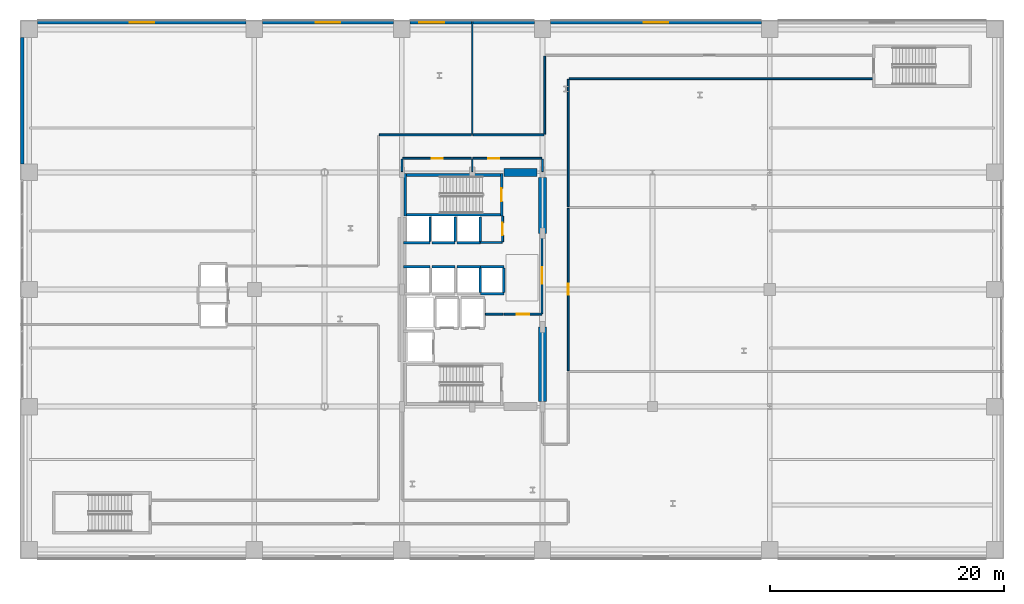
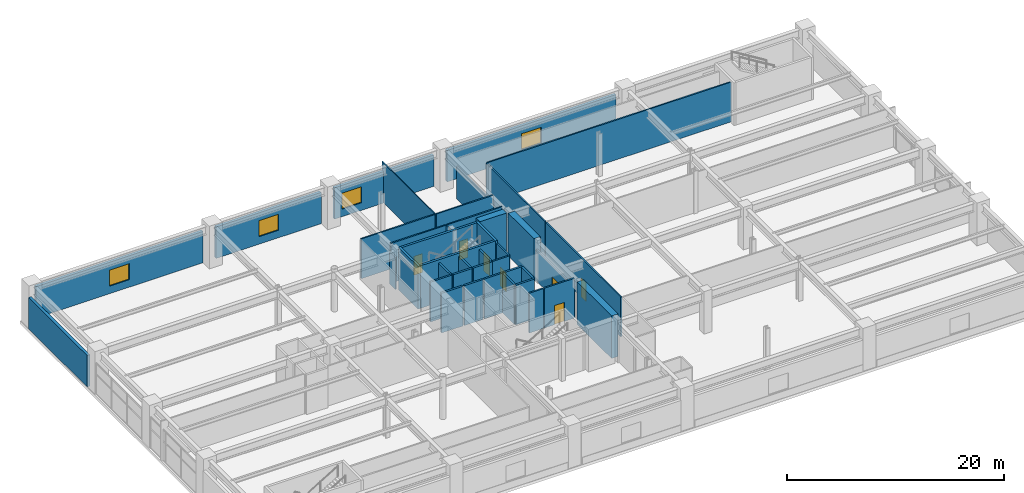
# One storey, part 21 of 28: 42 walls, 7 doors, 4 windows, 11 openings.
"""IFC4 building model written with IfcOpenShell, lengths in metres."""

from ifc_helpers import new_model, si_unit, direction, frame, frame_2d, origin, place, context, subcontext, project, spatial, rectangle, extrude, material, layer, layer_set, type_object, element, fill, save


model = new_model("IFC4")

# Units and contexts
model_context = context("Model", 3, precision=1e-05, world=origin(), true_north=direction((0.0, 1.0)))
body_context = subcontext(model_context, "Body", "Model", "MODEL_VIEW")
ifc_project = project(units=[si_unit("LENGTHUNIT", "METRE"), si_unit("AREAUNIT", "SQUARE_METRE"), si_unit("VOLUMEUNIT", "CUBIC_METRE"), si_unit("PLANEANGLEUNIT", "RADIAN"), si_unit("MASSUNIT", "GRAM", prefix="KILO")], contexts=[model_context])

# Site, building, storey
site_placement = place(None, origin())
site = spatial("IfcSite", under=ifc_project, at=site_placement, CompositionType="ELEMENT")
building_placement = place(site_placement, origin())
building = spatial("IfcBuilding", under=site, at=building_placement, Name="Soratama Intermodal Tower", CompositionType="ELEMENT")
storey_placement = place(building_placement, frame((0.0, 0.0, 11.39990234375)))
storey = spatial("IfcBuildingStorey", under=building, at=storey_placement, Name="L02", CompositionType="ELEMENT", Elevation=11.39990234375)

# Wall, opening, window
ifc_material_1 = material(Name="Concrete f'c 42 MPa", Category="concrete")
ifc_layer_1 = layer(ifc_material_1, 0.300048828125)
ifc_layer_set_1 = layer_set([ifc_layer_1], Name="Concrete f'c 42 MPa")
wall_type_1 = type_object("IfcWallType", Name="EW-STONE-300", PredefinedType="SOLIDWALL", material=ifc_layer_set_1)
wall_1_placement = place(storey_placement, frame((1.5, 47.800048828125, 0.0), z_axis=(0.0, 0.0, 1.0), x_axis=(1.0, 0.0, 0.0)))
wall_1 = element("IfcWall", 1, at=wall_1_placement, inside=storey, type_object=wall_type_1, Name="L02 N Limestone Wall B1", PredefinedType="SOLIDWALL", context=body_context, shape_type="SweptSolid", body=[
    extrude(rectangle(XDim=17.800048828125, YDim=0.300048828125, at=frame_2d((8.89990234375, 0.0))), origin(), (0.0, 0.0, 1.0), 3.5361328125),
])
opening_1_placement = place(wall_1_placement, frame((7.85009765625, 0.0, 0.85009765625)))
opening_1 = element("IfcOpeningElement", 2, at=opening_1_placement, cuts=wall_1, Name="Opening WN-0", PredefinedType="OPENING", context=body_context, shape_type="SweptSolid", body=[
    extrude(rectangle(XDim=2.10009765625, YDim=1.800048828125, at=frame_2d((1.050048828125, 0.89990234375))), frame((0.0, 0.159912109375, 0.0), z_axis=(0.0, -1.0, 0.0), x_axis=(1.0, 0.0, 0.0)), (0.0, 0.0, 1.0), 0.320068359375),
])
ifc_material_2 = material(Name="Double-glazed aluminium window", Category="aluminium")
window_type = type_object("IfcWindowType", Name="WN-POD-2100", PartitioningType="SINGLE_PANEL", PredefinedType="WINDOW", material=ifc_material_2)
window_1_placement = place(opening_1_placement, origin())
window_1 = element("IfcWindow", 3, at=window_1_placement, inside=storey, type_object=window_type, Name="L02 N Window B1", OverallHeight=1.800048828125, OverallWidth=2.10009765625, PartitioningType="SINGLE_PANEL", PredefinedType="WINDOW", context=body_context, shape_type="SweptSolid", body=[
    extrude(rectangle(XDim=2.10009765625, YDim=1.800048828125, at=frame_2d((1.050048828125, 0.89990234375))), frame((0.0, 0.030029296875, 0.0), z_axis=(0.0, -1.0, 0.0), x_axis=(1.0, 0.0, 0.0)), (0.0, 0.0, 1.0), 0.06005859375),
])
fill(opening_1, window_1)

wall_2_placement = place(storey_placement, frame((20.699951171875, 47.800048828125, 0.0), z_axis=(0.0, 0.0, 1.0), x_axis=(1.0, 0.0, 0.0)))
wall_2 = element("IfcWall", 4, at=wall_2_placement, inside=storey, type_object=wall_type_1, Name="L02 N Limestone Wall B2", PredefinedType="SOLIDWALL", context=body_context, shape_type="SweptSolid", body=[
    extrude(rectangle(XDim=11.199951171875, YDim=0.300048828125, at=frame_2d((5.60009765625, 0.0))), origin(), (0.0, 0.0, 1.0), 3.5361328125),
])
opening_2_placement = place(wall_2_placement, frame((4.550048828125, 0.0, 0.85009765625)))
opening_2 = element("IfcOpeningElement", 5, at=opening_2_placement, cuts=wall_2, Name="Opening WN-0", PredefinedType="OPENING", context=body_context, shape_type="SweptSolid", body=[
    extrude(rectangle(XDim=2.10009765625, YDim=1.800048828125, at=frame_2d((1.050048828125, 0.89990234375))), frame((0.0, 0.159912109375, 0.0), z_axis=(0.0, -1.0, 0.0), x_axis=(1.0, 0.0, 0.0)), (0.0, 0.0, 1.0), 0.320068359375),
])
window_2_placement = place(opening_2_placement, origin())
window_2 = element("IfcWindow", 6, at=window_2_placement, inside=storey, type_object=window_type, Name="L02 N Window B2", OverallHeight=1.800048828125, OverallWidth=2.10009765625, PartitioningType="SINGLE_PANEL", PredefinedType="WINDOW", context=body_context, shape_type="SweptSolid", body=[
    extrude(rectangle(XDim=2.10009765625, YDim=1.800048828125, at=frame_2d((1.050048828125, 0.89990234375))), frame((0.0, 0.030029296875, 0.0), z_axis=(0.0, -1.0, 0.0), x_axis=(1.0, 0.0, 0.0)), (0.0, 0.0, 1.0), 0.06005859375),
])
fill(opening_2, window_2)

wall_3_placement = place(storey_placement, frame((33.300048828125, 47.800048828125, 0.0), z_axis=(0.0, 0.0, 1.0), x_axis=(1.0, 0.0, 0.0)))
wall_3 = element("IfcWall", 7, at=wall_3_placement, inside=storey, type_object=wall_type_1, Name="L02 N Limestone Wall B3", PredefinedType="SOLIDWALL", context=body_context, shape_type="SweptSolid", body=[
    extrude(rectangle(XDim=10.599853515625, YDim=0.300048828125, at=frame_2d((5.2998046875, 0.0))), origin(), (0.0, 0.0, 1.0), 3.5361328125),
])
opening_3_placement = place(wall_3_placement, frame((0.800048828125, 0.0, 0.85009765625)))
opening_3 = element("IfcOpeningElement", 8, at=opening_3_placement, cuts=wall_3, Name="Opening WN-0", PredefinedType="OPENING", context=body_context, shape_type="SweptSolid", body=[
    extrude(rectangle(XDim=2.10009765625, YDim=1.800048828125, at=frame_2d((1.050048828125, 0.89990234375))), frame((0.0, 0.159912109375, 0.0), z_axis=(0.0, -1.0, 0.0), x_axis=(1.0, 0.0, 0.0)), (0.0, 0.0, 1.0), 0.320068359375),
])
window_3_placement = place(opening_3_placement, origin())
window_3 = element("IfcWindow", 9, at=window_3_placement, inside=storey, type_object=window_type, Name="L02 N Window B3", OverallHeight=1.800048828125, OverallWidth=2.10009765625, PartitioningType="SINGLE_PANEL", PredefinedType="WINDOW", context=body_context, shape_type="SweptSolid", body=[
    extrude(rectangle(XDim=2.10009765625, YDim=1.800048828125, at=frame_2d((1.050048828125, 0.89990234375))), frame((0.0, 0.030029296875, 0.0), z_axis=(0.0, -1.0, 0.0), x_axis=(1.0, 0.0, 0.0)), (0.0, 0.0, 1.0), 0.06005859375),
])
fill(opening_3, window_3)

wall_4_placement = place(storey_placement, frame((45.300048828125, 47.800048828125, 0.0), z_axis=(0.0, 0.0, 1.0), x_axis=(1.0, 0.0, 0.0)))
wall_4 = element("IfcWall", 10, at=wall_4_placement, inside=storey, type_object=wall_type_1, Name="L02 N Limestone Wall B4", PredefinedType="SOLIDWALL", context=body_context, shape_type="SweptSolid", body=[
    extrude(rectangle(XDim=18.0, YDim=0.300048828125, at=frame_2d((9.0, 0.0))), origin(), (0.0, 0.0, 1.0), 3.5361328125),
])
opening_4_placement = place(wall_4_placement, frame((7.949951171875, 0.0, 0.85009765625)))
opening_4 = element("IfcOpeningElement", 11, at=opening_4_placement, cuts=wall_4, Name="Opening WN-0", PredefinedType="OPENING", context=body_context, shape_type="SweptSolid", body=[
    extrude(rectangle(XDim=2.10009765625, YDim=1.800048828125, at=frame_2d((1.050048828125, 0.89990234375))), frame((0.0, 0.159912109375, 0.0), z_axis=(0.0, -1.0, 0.0), x_axis=(1.0, 0.0, 0.0)), (0.0, 0.0, 1.0), 0.320068359375),
])
window_4_placement = place(opening_4_placement, origin())
window_4 = element("IfcWindow", 12, at=window_4_placement, inside=storey, type_object=window_type, Name="L02 N Window B4", OverallHeight=1.800048828125, OverallWidth=2.10009765625, PartitioningType="SINGLE_PANEL", PredefinedType="WINDOW", context=body_context, shape_type="SweptSolid", body=[
    extrude(rectangle(XDim=2.10009765625, YDim=1.800048828125, at=frame_2d((1.050048828125, 0.89990234375))), frame((0.0, 0.030029296875, 0.0), z_axis=(0.0, -1.0, 0.0), x_axis=(1.0, 0.0, 0.0)), (0.0, 0.0, 1.0), 0.06005859375),
])
fill(opening_4, window_4)

# Walls
wall_5_placement = place(storey_placement, frame((0.199951171875, 35.699951171875, 0.0), z_axis=(0.0, 0.0, 1.0), x_axis=(0.0, 1.0, 0.0)))
element("IfcWall", 13, at=wall_5_placement, inside=storey, type_object=wall_type_1, Name="L02 Perimeter Wall WN", PredefinedType="SOLIDWALL", context=body_context, shape_type="SweptSolid", body=[
    extrude(rectangle(XDim=10.800048828125, YDim=0.300048828125, at=frame_2d((5.39990234375, 0.0))), origin(), (0.0, 0.0, 1.0), 3.5361328125),
])
ifc_material_3 = material(Name="Fire-rated gypsum stud partition", Category="concrete")
ifc_layer_2 = layer(ifc_material_3, 0.14990234375)
ifc_layer_set_2 = layer_set([ifc_layer_2], Name="Fire-rated gypsum stud partition")
wall_type_2 = type_object("IfcWallType", Name="IW-PART-R150", PredefinedType="PARTITIONING", material=ifc_layer_set_2)
wall_6_placement = place(storey_placement, frame((72.8798828125, 43.0, 0.0), z_axis=(0.0, 0.0, 1.0), x_axis=(-1.0, 0.0, 0.0)))
element("IfcWall", 14, at=wall_6_placement, inside=storey, type_object=wall_type_2, Name="L02 Partition W-L02-TP005", PredefinedType="PARTITIONING", context=body_context, shape_type="SweptSolid", body=[
    extrude(rectangle(XDim=26.009765625, YDim=0.14990234375, at=frame_2d((13.0048828125, 0.0))), origin(), (0.0, 0.0, 1.0), 4.47998046875),
])

# Wall, opening, door
wall_7_placement = place(storey_placement, frame((46.800048828125, 31.929931640625, 0.0), z_axis=(0.0, 0.0, 1.0), x_axis=(0.0, -1.0, 0.0)))
wall_7 = element("IfcWall", 15, at=wall_7_placement, inside=storey, type_object=wall_type_2, Name="L02 Partition W-L02-TP010", PredefinedType="PARTITIONING", context=body_context, shape_type="SweptSolid", body=[
    extrude(rectangle(XDim=13.85986328125, YDim=0.14990234375, at=frame_2d((6.929931640625, 0.0))), origin(), (0.0, 0.0, 1.0), 4.47998046875),
])
opening_5_placement = place(wall_7_placement, frame((6.455078125, 0.0, 0.0)))
opening_5 = element("IfcOpeningElement", 16, at=opening_5_placement, cuts=wall_7, Name="Opening ID-6", PredefinedType="OPENING", context=body_context, shape_type="SweptSolid", body=[
    extrude(rectangle(XDim=0.919921875, YDim=2.1201171875, at=frame_2d((0.4599609375, 1.06005859375))), frame((0.0, 0.0849609375, 0.0), z_axis=(0.0, -1.0, 0.0), x_axis=(1.0, 0.0, 0.0)), (0.0, 0.0, 1.0), 0.169921875),
])
ifc_material_4 = material(Name="Solid hardwood acoustic door", Category="wood")
door_type_1 = type_object("IfcDoorType", Name="DR-ROOM-920", OperationType="NOTDEFINED", PredefinedType="DOOR", material=ifc_material_4)
door_1_placement = place(opening_5_placement, origin())
door_1 = element("IfcDoor", 17, at=door_1_placement, inside=storey, type_object=door_type_1, Name="L02 Door D-L02-TP003", OperationType="SINGLE_SWING_RIGHT", OverallHeight=2.1201171875, OverallWidth=0.919921875, PredefinedType="DOOR", context=body_context, shape_type="SweptSolid", body=[
    extrude(rectangle(XDim=0.919921875, YDim=2.1201171875, at=frame_2d((0.4599609375, 1.06005859375))), frame((0.0, 0.02490234375, 0.0), z_axis=(0.0, -1.0, 0.0), x_axis=(1.0, 0.0, 0.0)), (0.0, 0.0, 1.0), 0.050048828125),
])
fill(opening_5, door_1)

# Walls
wall_8_placement = place(storey_placement, frame((46.800048828125, 42.929931640625, 0.0), z_axis=(0.0, 0.0, 1.0), x_axis=(0.0, -1.0, 0.0)))
element("IfcWall", 18, at=wall_8_placement, inside=storey, type_object=wall_type_2, Name="L02 Partition W-L02-TP014", PredefinedType="PARTITIONING", context=body_context, shape_type="SweptSolid", body=[
    extrude(rectangle(XDim=10.85986328125, YDim=0.14990234375, at=frame_2d((5.429931640625, 0.0))), origin(), (0.0, 0.0, 1.0), 4.47998046875),
])
wall_9_placement = place(storey_placement, frame((30.669921875, 38.199951171875, 0.0), z_axis=(0.0, 0.0, 1.0), x_axis=(1.0, 0.0, 0.0)))
element("IfcWall", 19, at=wall_9_placement, inside=storey, type_object=wall_type_2, Name="L02 Partition W-L02-TP017", PredefinedType="PARTITIONING", context=body_context, shape_type="SweptSolid", body=[
    extrude(rectangle(XDim=7.860107421875, YDim=0.14990234375, at=frame_2d((3.93017578125, 0.0))), origin(), (0.0, 0.0, 1.0), 4.47998046875),
])

# Wall, opening, door
wall_10_placement = place(storey_placement, frame((44.56005859375, 29.800048828125, 0.0), z_axis=(0.0, 0.0, 1.0), x_axis=(0.0, -1.0, 0.0)))
wall_10 = element("IfcWall", 20, at=wall_10_placement, inside=storey, type_object=wall_type_2, Name="L02 Partition W-L02-TP018", PredefinedType="PARTITIONING", context=body_context, shape_type="SweptSolid", body=[
    extrude(rectangle(XDim=6.91015625, YDim=0.14990234375, at=frame_2d((3.455078125, 0.0))), origin(), (0.0, 0.0, 1.0), 3.52001953125),
])
opening_6_placement = place(wall_10_placement, frame((2.9150390625, 0.0, 0.0)))
opening_6 = element("IfcOpeningElement", 21, at=opening_6_placement, cuts=wall_10, Name="Opening ID-2", PredefinedType="OPENING", context=body_context, shape_type="SweptSolid", body=[
    extrude(rectangle(XDim=1.3798828125, YDim=2.199951171875, at=frame_2d((0.68994140625, 1.10009765625))), frame((0.0, 0.0849609375, 0.0), z_axis=(0.0, -1.0, 0.0), x_axis=(1.0, 0.0, 0.0)), (0.0, 0.0, 1.0), 0.169921875),
])
ifc_material_5 = material(Name="Solid hardwood acoustic door", Category="wood")
door_type_2 = type_object("IfcDoorType", Name="DR-POD-1400", OperationType="NOTDEFINED", PredefinedType="DOOR", material=ifc_material_5)
door_2_placement = place(opening_6_placement, origin())
door_2 = element("IfcDoor", 22, at=door_2_placement, inside=storey, type_object=door_type_2, Name="L02 Door D-L02-TP005", OperationType="SINGLE_SWING_RIGHT", OverallHeight=2.199951171875, OverallWidth=1.3798828125, PredefinedType="DOOR", context=body_context, shape_type="SweptSolid", body=[
    extrude(rectangle(XDim=1.3798828125, YDim=2.199951171875, at=frame_2d((0.68994140625, 1.10009765625))), frame((0.0, 0.02490234375, 0.0), z_axis=(0.0, -1.0, 0.0), x_axis=(1.0, 0.0, 0.0)), (0.0, 0.0, 1.0), 0.050048828125),
])
fill(opening_6, door_2)

# Walls
wall_11_placement = place(storey_placement, frame((44.800048828125, 38.27001953125, 0.0), z_axis=(0.0, 0.0, 1.0), x_axis=(0.0, 1.0, 0.0)))
element("IfcWall", 23, at=wall_11_placement, inside=storey, type_object=wall_type_2, Name="L02 Partition W-L02-TP019", PredefinedType="PARTITIONING", context=body_context, shape_type="SweptSolid", body=[
    extrude(rectangle(XDim=6.659912109375, YDim=0.14990234375, at=frame_2d((3.330078125, 0.0))), origin(), (0.0, 0.0, 1.0), 3.60205078125),
])
wall_12_placement = place(storey_placement, frame((38.669921875, 38.199951171875, 0.0), z_axis=(0.0, 0.0, 1.0), x_axis=(1.0, 0.0, 0.0)))
element("IfcWall", 24, at=wall_12_placement, inside=storey, type_object=wall_type_2, Name="L02 Partition W-L02-TP021", PredefinedType="PARTITIONING", context=body_context, shape_type="SweptSolid", body=[
    extrude(rectangle(XDim=6.06005859375, YDim=0.14990234375, at=frame_2d((3.030029296875, 0.0))), origin(), (0.0, 0.0, 1.0), 4.47998046875),
])

# Wall, opening, door
wall_13_placement = place(storey_placement, frame((38.530029296875, 36.199951171875, 0.0), z_axis=(0.0, 0.0, 1.0), x_axis=(-1.0, 0.0, 0.0)))
wall_13 = element("IfcWall", 25, at=wall_13_placement, inside=storey, type_object=wall_type_2, Name="L02 Partition W-L02-TP022", PredefinedType="PARTITIONING", context=body_context, shape_type="SweptSolid", body=[
    extrude(rectangle(XDim=5.860107421875, YDim=0.14990234375, at=frame_2d((2.93017578125, 0.0))), origin(), (0.0, 0.0, 1.0), 4.47998046875),
])
opening_7_placement = place(wall_13_placement, frame((2.455078125, 0.0, 0.0)))
opening_7 = element("IfcOpeningElement", 26, at=opening_7_placement, cuts=wall_13, Name="Opening ID-6", PredefinedType="OPENING", context=body_context, shape_type="SweptSolid", body=[
    extrude(rectangle(XDim=0.919921875, YDim=2.1201171875, at=frame_2d((0.4599609375, 1.06005859375))), frame((0.0, 0.0849609375, 0.0), z_axis=(0.0, -1.0, 0.0), x_axis=(1.0, 0.0, 0.0)), (0.0, 0.0, 1.0), 0.169921875),
])
door_3_placement = place(opening_7_placement, origin())
door_3 = element("IfcDoor", 27, at=door_3_placement, inside=storey, type_object=door_type_1, Name="L02 Door D-L02-TP006", OperationType="SINGLE_SWING_LEFT", OverallHeight=2.1201171875, OverallWidth=0.919921875, PredefinedType="DOOR", context=body_context, shape_type="SweptSolid", body=[
    extrude(rectangle(XDim=0.919921875, YDim=2.1201171875, at=frame_2d((0.4599609375, 1.06005859375))), frame((0.0, 0.02490234375, 0.0), z_axis=(0.0, -1.0, 0.0), x_axis=(1.0, 0.0, 0.0)), (0.0, 0.0, 1.0), 0.050048828125),
])
fill(opening_7, door_3)

wall_14_placement = place(storey_placement, frame((44.530029296875, 36.199951171875, 0.0), z_axis=(0.0, 0.0, 1.0), x_axis=(-1.0, 0.0, 0.0)))
wall_14 = element("IfcWall", 28, at=wall_14_placement, inside=storey, type_object=wall_type_2, Name="L02 Partition W-L02-TP023", PredefinedType="PARTITIONING", context=body_context, shape_type="SweptSolid", body=[
    extrude(rectangle(XDim=5.860107421875, YDim=0.14990234375, at=frame_2d((2.93017578125, 0.0))), origin(), (0.0, 0.0, 1.0), 4.47998046875),
])
opening_8_placement = place(wall_14_placement, frame((3.626953125, 0.0, 0.0)))
opening_8 = element("IfcOpeningElement", 29, at=opening_8_placement, cuts=wall_14, Name="Opening ID-6", PredefinedType="OPENING", context=body_context, shape_type="SweptSolid", body=[
    extrude(rectangle(XDim=0.919921875, YDim=2.1201171875, at=frame_2d((0.4599609375, 1.06005859375))), frame((0.0, 0.0849609375, 0.0), z_axis=(0.0, -1.0, 0.0), x_axis=(1.0, 0.0, 0.0)), (0.0, 0.0, 1.0), 0.169921875),
])
door_4_placement = place(opening_8_placement, origin())
door_4 = element("IfcDoor", 30, at=door_4_placement, inside=storey, type_object=door_type_1, Name="L02 Door D-L02-TP007", OperationType="SINGLE_SWING_RIGHT", OverallHeight=2.1201171875, OverallWidth=0.919921875, PredefinedType="DOOR", context=body_context, shape_type="SweptSolid", body=[
    extrude(rectangle(XDim=0.919921875, YDim=2.1201171875, at=frame_2d((0.4599609375, 1.06005859375))), frame((0.0, 0.02490234375, 0.0), z_axis=(0.0, -1.0, 0.0), x_axis=(1.0, 0.0, 0.0)), (0.0, 0.0, 1.0), 0.050048828125),
])
fill(opening_8, door_4)

wall_15_placement = place(storey_placement, frame((41.199951171875, 29.070068359375, 0.0), z_axis=(0.0, 0.0, 1.0), x_axis=(0.0, 1.0, 0.0)))
wall_15 = element("IfcWall", 31, at=wall_15_placement, inside=storey, type_object=wall_type_2, Name="L02 Partition W-L02-TP026", PredefinedType="PARTITIONING", context=body_context, shape_type="SweptSolid", body=[
    extrude(rectangle(XDim=2.18994140625, YDim=0.14990234375, at=frame_2d((1.094970703125, 0.0))), origin(), (0.0, 0.0, 1.0), 4.47998046875),
])
opening_9_placement = place(wall_15_placement, frame((0.554931640625, 0.0, 0.0)))
opening_9 = element("IfcOpeningElement", 32, at=opening_9_placement, cuts=wall_15, Name="Opening ID-1", PredefinedType="OPENING", context=body_context, shape_type="SweptSolid", body=[
    extrude(rectangle(XDim=1.080078125, YDim=2.14990234375, at=frame_2d((0.5400390625, 1.074951171875))), frame((0.0, 0.0849609375, 0.0), z_axis=(0.0, -1.0, 0.0), x_axis=(1.0, 0.0, 0.0)), (0.0, 0.0, 1.0), 0.169921875),
])
ifc_material_6 = material(Name="Solid hardwood acoustic door", Category="wood")
door_type_3 = type_object("IfcDoorType", Name="DR-LOB-FD60", OperationType="NOTDEFINED", PredefinedType="DOOR", material=ifc_material_6)
door_5_placement = place(opening_9_placement, origin())
door_5 = element("IfcDoor", 33, at=door_5_placement, inside=storey, type_object=door_type_3, Name="L02 Door D-L02-TP009", OperationType="SINGLE_SWING_RIGHT", OverallHeight=2.14990234375, OverallWidth=1.080078125, PredefinedType="DOOR", context=body_context, shape_type="SweptSolid", body=[
    extrude(rectangle(XDim=1.080078125, YDim=2.14990234375, at=frame_2d((0.5400390625, 1.074951171875))), frame((0.0, 0.02490234375, 0.0), z_axis=(0.0, -1.0, 0.0), x_axis=(1.0, 0.0, 0.0)), (0.0, 0.0, 1.0), 0.050048828125),
])
fill(opening_9, door_5)

# Walls
wall_16_placement = place(storey_placement, frame((39.300048828125, 29.010009765625, 0.0), z_axis=(0.0, 0.0, 1.0), x_axis=(1.0, 0.0, 0.0)))
element("IfcWall", 34, at=wall_16_placement, inside=storey, type_object=wall_type_2, Name="L02 Partition W-L02-TP029", PredefinedType="PARTITIONING", context=body_context, shape_type="SweptSolid", body=[
    extrude(rectangle(XDim=1.85986328125, YDim=0.14990234375, at=frame_2d((0.929931640625, 0.0))), origin(), (0.0, 0.0, 1.0), 4.47998046875),
])
for number, where, z_axis, x_axis, name in (
    (35, (32.60009765625, 36.1298828125, 0.0), (0.0, 0.0, 1.0), (0.0, -1.0, 0.0), "L02 Partition W-L02-TP033"),
    (36, (44.60009765625, 35.070068359375, 0.0), (0.0, 0.0, 1.0), (0.0, 1.0, 0.0), "L02 Partition W-L02-TP034"),
):
    element("IfcWall", number, at=place(storey_placement, frame(where, z_axis=z_axis, x_axis=x_axis)), inside=storey, type_object=wall_type_2, Name=name, PredefinedType="PARTITIONING", context=body_context, shape_type="SweptSolid", body=[
        extrude(rectangle(XDim=1.059814453125, YDim=0.14990234375, at=frame_2d((0.52978515625, 0.0))), origin(), (0.0, 0.0, 1.0), 3.60205078125),
    ])

# Wall, opening, door
ifc_material_7 = material(Name="Fire-rated gypsum stud partition", Category="concrete")
ifc_layer_3 = layer(ifc_material_7, 0.169921875)
ifc_layer_set_3 = layer_set([ifc_layer_3], Name="Fire-rated gypsum stud partition")
wall_type_3 = type_object("IfcWallType", Name="IW-PART-R170", PredefinedType="PARTITIONING", material=ifc_layer_set_3)
wall_17_placement = place(storey_placement, frame((41.320068359375, 22.889892578125, 0.0), z_axis=(0.0, 0.0, 1.0), x_axis=(1.0, 0.0, 0.0)))
wall_17 = element("IfcWall", 37, at=wall_17_placement, inside=storey, type_object=wall_type_3, Name="L02 Partition W-L02-TP024", PredefinedType="PARTITIONING", context=body_context, shape_type="SweptSolid", body=[
    extrude(rectangle(XDim=3.239990234375, YDim=0.169921875, at=frame_2d((1.6201171875, 0.0))), origin(), (0.0, 0.0, 1.0), 4.47998046875),
])
opening_10_placement = place(wall_17_placement, frame((1.080078125, 0.0, 0.0)))
opening_10 = element("IfcOpeningElement", 38, at=opening_10_placement, cuts=wall_17, Name="Opening ID-0", PredefinedType="OPENING", context=body_context, shape_type="SweptSolid", body=[
    extrude(rectangle(XDim=1.080078125, YDim=2.14990234375, at=frame_2d((0.5400390625, 1.074951171875))), frame((0.0, 0.094970703125, 0.0), z_axis=(0.0, -1.0, 0.0), x_axis=(1.0, 0.0, 0.0)), (0.0, 0.0, 1.0), 0.18994140625),
])
ifc_material_8 = material(Name="Solid hardwood acoustic door", Category="wood")
door_type_4 = type_object("IfcDoorType", Name="DR-LOB-FD90", OperationType="NOTDEFINED", PredefinedType="DOOR", material=ifc_material_8)
door_6_placement = place(opening_10_placement, origin())
door_6 = element("IfcDoor", 39, at=door_6_placement, inside=storey, type_object=door_type_4, Name="L02 Door D-L02-TP008", OperationType="SINGLE_SWING_LEFT", OverallHeight=2.14990234375, OverallWidth=1.080078125, PredefinedType="DOOR", context=body_context, shape_type="SweptSolid", body=[
    extrude(rectangle(XDim=1.080078125, YDim=2.14990234375, at=frame_2d((0.5400390625, 1.074951171875))), frame((0.0, 0.02490234375, 0.0), z_axis=(0.0, -1.0, 0.0), x_axis=(1.0, 0.0, 0.0)), (0.0, 0.0, 1.0), 0.050048828125),
])
fill(opening_10, door_6)

# Walls
wall_18_placement = place(storey_placement, frame((39.719970703125, 22.889892578125, 0.0), z_axis=(0.0, 0.0, 1.0), x_axis=(1.0, 0.0, 0.0)))
element("IfcWall", 40, at=wall_18_placement, inside=storey, type_object=wall_type_3, Name="L02 Partition W-L02-TP030", PredefinedType="PARTITIONING", context=body_context, shape_type="SweptSolid", body=[
    extrude(rectangle(XDim=1.52001953125, YDim=0.169921875, at=frame_2d((0.760009765625, 0.0))), origin(), (0.0, 0.0, 1.0), 4.47998046875),
])
ifc_material_9 = material(Name="Fire-rated gypsum stud partition", Category="concrete")
ifc_layer_4 = layer(ifc_material_9, 0.10009765625)
ifc_layer_set_4 = layer_set([ifc_layer_4], Name="Fire-rated gypsum stud partition")
wall_type_4 = type_object("IfcWallType", Name="IW-PART-S100", PredefinedType="PARTITIONING", material=ifc_layer_set_4)
wall_19_placement = place(storey_placement, frame((38.60009765625, 48.0, 0.0), z_axis=(0.0, 0.0, 1.0), x_axis=(0.0, -1.0, 0.0)))
element("IfcWall", 41, at=wall_19_placement, inside=storey, type_object=wall_type_4, Name="L02 Partition W-L02-TP015", PredefinedType="PARTITIONING", context=body_context, shape_type="SweptSolid", body=[
    extrude(rectangle(XDim=9.72998046875, YDim=0.10009765625, at=frame_2d((4.864990234375, 0.0))), origin(), (0.0, 0.0, 1.0), 4.47998046875),
])
wall_20_placement = place(storey_placement, frame((38.60009765625, 36.1298828125, 0.0), z_axis=(0.0, 0.0, 1.0), x_axis=(0.0, -1.0, 0.0)))
element("IfcWall", 42, at=wall_20_placement, inside=storey, type_object=wall_type_4, Name="L02 Partition W-L02-TP035", PredefinedType="PARTITIONING", context=body_context, shape_type="SweptSolid", body=[
    extrude(rectangle(XDim=1.059814453125, YDim=0.10009765625, at=frame_2d((0.52978515625, 0.0))), origin(), (0.0, 0.0, 1.0), 4.47998046875),
])
ifc_material_10 = material(Name="Concrete f'c 42 MPa", Category="concrete")
ifc_layer_5 = layer(ifc_material_10, 0.199951171875)
ifc_layer_set_5 = layer_set([ifc_layer_5], Name="Concrete f'c 42 MPa")
wall_type_5 = type_object("IfcWallType", Name="IW-SHAFT-200", PredefinedType="SOLIDWALL", material=ifc_layer_set_5)
wall_21_placement = place(storey_placement, frame((32.719970703125, 26.949951171875, 0.0), z_axis=(0.0, 0.0, 1.0), x_axis=(1.0, 0.0, 0.0)))
element("IfcWall", 43, at=wall_21_placement, inside=storey, type_object=wall_type_5, Name="L02 PL-L1 Hoistway Wall N", PredefinedType="SOLIDWALL", context=body_context, shape_type="SweptSolid", body=[
    extrude(rectangle(XDim=2.280029296875, YDim=0.199951171875, at=frame_2d((1.14013671875, 0.0))), origin(), (0.0, 0.0, 1.0), 4.47998046875),
])
for number, where, z_axis, x_axis, name in (
    (44, (35.14990234375, 26.949951171875, 0.0), (0.0, 0.0, 1.0), (1.0, 0.0, 0.0), "L02 PL-L2 Hoistway Wall N"),
    (45, (37.300048828125, 26.949951171875, 0.0), (0.0, 0.0, 1.0), (1.0, 0.0, 0.0), "L02 PL-L3 Hoistway Wall N"),
):
    element("IfcWall", number, at=place(storey_placement, frame(where, z_axis=z_axis, x_axis=x_axis)), inside=storey, type_object=wall_type_5, Name=name, PredefinedType="SOLIDWALL", context=body_context, shape_type="SweptSolid", body=[
        extrude(rectangle(XDim=2.0, YDim=0.199951171875, at=frame_2d((1.0, 0.0))), origin(), (0.0, 0.0, 1.0), 4.47998046875),
    ])
wall_22_placement = place(storey_placement, frame((39.300048828125, 24.760009765625, 0.0), z_axis=(0.0, 0.0, 1.0), x_axis=(0.0, 1.0, 0.0)))
element("IfcWall", 46, at=wall_22_placement, inside=storey, type_object=wall_type_5, Name="L02 PL-L3 Hoistway Wall E", PredefinedType="SOLIDWALL", context=body_context, shape_type="SweptSolid", body=[
    extrude(rectangle(XDim=2.080078125, YDim=0.199951171875, at=frame_2d((1.0400390625, 0.0))), origin(), (0.0, 0.0, 1.0), 4.47998046875),
])
for number, where, z_axis, x_axis, name in (
    (47, (39.300048828125, 24.64990234375, 0.0), (0.0, 0.0, 1.0), (1.0, 0.0, 0.0), "L02 PL-M1 Hoistway Wall S"),
    (48, (39.300048828125, 26.949951171875, 0.0), (0.0, 0.0, 1.0), (1.0, 0.0, 0.0), "L02 PL-M1 Hoistway Wall N"),
):
    element("IfcWall", number, at=place(storey_placement, frame(where, z_axis=z_axis, x_axis=x_axis)), inside=storey, type_object=wall_type_5, Name=name, PredefinedType="SOLIDWALL", context=body_context, shape_type="SweptSolid", body=[
        extrude(rectangle(XDim=2.0, YDim=0.199951171875, at=frame_2d((1.0, 0.0))), origin(), (0.0, 0.0, 1.0), 4.47998046875),
    ])
wall_23_placement = place(storey_placement, frame((41.300048828125, 24.760009765625, 0.0), z_axis=(0.0, 0.0, 1.0), x_axis=(0.0, 1.0, 0.0)))
element("IfcWall", 49, at=wall_23_placement, inside=storey, type_object=wall_type_5, Name="L02 PL-M1 Hoistway Wall E", PredefinedType="SOLIDWALL", context=body_context, shape_type="SweptSolid", body=[
    extrude(rectangle(XDim=2.080078125, YDim=0.199951171875, at=frame_2d((1.0400390625, 0.0))), origin(), (0.0, 0.0, 1.0), 4.47998046875),
])
wall_24_placement = place(storey_placement, frame((32.719970703125, 29.0, 0.0), z_axis=(0.0, 0.0, 1.0), x_axis=(1.0, 0.0, 0.0)))
element("IfcWall", 50, at=wall_24_placement, inside=storey, type_object=wall_type_5, Name="L02 PL-M2 Hoistway Wall S", PredefinedType="SOLIDWALL", context=body_context, shape_type="SweptSolid", body=[
    extrude(rectangle(XDim=2.280029296875, YDim=0.199951171875, at=frame_2d((1.14013671875, 0.0))), origin(), (0.0, 0.0, 1.0), 4.47998046875),
])
wall_25_placement = place(storey_placement, frame((35.0, 29.110107421875, 0.0), z_axis=(0.0, 0.0, 1.0), x_axis=(0.0, 1.0, 0.0)))
element("IfcWall", 51, at=wall_25_placement, inside=storey, type_object=wall_type_5, Name="L02 PL-M2 Hoistway Wall E", PredefinedType="SOLIDWALL", context=body_context, shape_type="SweptSolid", body=[
    extrude(rectangle(XDim=2.099853515625, YDim=0.199951171875, at=frame_2d((1.0498046875, 0.0))), origin(), (0.0, 0.0, 1.0), 4.47998046875),
])
wall_26_placement = place(storey_placement, frame((35.14990234375, 29.0, 0.0), z_axis=(0.0, 0.0, 1.0), x_axis=(1.0, 0.0, 0.0)))
element("IfcWall", 52, at=wall_26_placement, inside=storey, type_object=wall_type_5, Name="L02 PL-H1 Hoistway Wall S", PredefinedType="SOLIDWALL", context=body_context, shape_type="SweptSolid", body=[
    extrude(rectangle(XDim=2.0, YDim=0.199951171875, at=frame_2d((1.0, 0.0))), origin(), (0.0, 0.0, 1.0), 4.47998046875),
])
wall_27_placement = place(storey_placement, frame((37.14990234375, 29.110107421875, 0.0), z_axis=(0.0, 0.0, 1.0), x_axis=(0.0, 1.0, 0.0)))
element("IfcWall", 53, at=wall_27_placement, inside=storey, type_object=wall_type_5, Name="L02 PL-H1 Hoistway Wall E", PredefinedType="SOLIDWALL", context=body_context, shape_type="SweptSolid", body=[
    extrude(rectangle(XDim=2.099853515625, YDim=0.199951171875, at=frame_2d((1.0498046875, 0.0))), origin(), (0.0, 0.0, 1.0), 4.47998046875),
])
wall_28_placement = place(storey_placement, frame((37.300048828125, 29.0, 0.0), z_axis=(0.0, 0.0, 1.0), x_axis=(1.0, 0.0, 0.0)))
element("IfcWall", 54, at=wall_28_placement, inside=storey, type_object=wall_type_5, Name="L02 PL-H2 Hoistway Wall S", PredefinedType="SOLIDWALL", context=body_context, shape_type="SweptSolid", body=[
    extrude(rectangle(XDim=2.0, YDim=0.199951171875, at=frame_2d((1.0, 0.0))), origin(), (0.0, 0.0, 1.0), 4.47998046875),
])
wall_29_placement = place(storey_placement, frame((39.300048828125, 29.110107421875, 0.0), z_axis=(0.0, 0.0, 1.0), x_axis=(0.0, 1.0, 0.0)))
element("IfcWall", 55, at=wall_29_placement, inside=storey, type_object=wall_type_5, Name="L02 PL-H2 Hoistway Wall E", PredefinedType="SOLIDWALL", context=body_context, shape_type="SweptSolid", body=[
    extrude(rectangle(XDim=2.099853515625, YDim=0.199951171875, at=frame_2d((1.0498046875, 0.0))), origin(), (0.0, 0.0, 1.0), 4.47998046875),
])
ifc_material_11 = material(Name="Concrete f'c 56 MPa", Category="concrete")
ifc_layer_6 = layer(ifc_material_11, 0.699951171875)
ifc_layer_set_6 = layer_set([ifc_layer_6], Name="Concrete f'c 56 MPa")
wall_type_6 = type_object("IfcWallType", Name="SW-CORE-700", PredefinedType="SHEAR", material=ifc_layer_set_6)
wall_30_placement = place(storey_placement, frame((41.300048828125, 35.0, 0.0), z_axis=(0.0, 0.0, 1.0), x_axis=(1.0, 0.0, 0.0)))
element("IfcWall", 56, at=wall_30_placement, inside=storey, type_object=wall_type_6, Name="L02 Core Shear Wall CW-NE", PredefinedType="SHEAR", context=body_context, shape_type="SweptSolid", body=[
    extrude(rectangle(XDim=2.849853515625, YDim=0.699951171875, at=frame_2d((1.4248046875, 0.0))), origin(), (0.0, 0.0, 1.0), 4.800048828125),
])
wall_31_placement = place(storey_placement, frame((44.60009765625, 15.449951171875, 0.0), z_axis=(0.0, 0.0, 1.0), x_axis=(0.0, 1.0, 0.0)))
element("IfcWall", 57, at=wall_31_placement, inside=storey, type_object=wall_type_6, Name="L02 Core Shear Wall CW-ES", PredefinedType="SHEAR", context=body_context, shape_type="SweptSolid", body=[
    extrude(rectangle(XDim=6.35009765625, YDim=0.699951171875, at=frame_2d((3.175048828125, 0.0))), origin(), (0.0, 0.0, 1.0), 4.800048828125),
])
wall_32_placement = place(storey_placement, frame((44.60009765625, 29.800048828125, 0.0), z_axis=(0.0, 0.0, 1.0), x_axis=(0.0, 1.0, 0.0)))
element("IfcWall", 58, at=wall_32_placement, inside=storey, type_object=wall_type_6, Name="L02 Core Shear Wall CW-EN", PredefinedType="SHEAR", context=body_context, shape_type="SweptSolid", body=[
    extrude(rectangle(XDim=4.75, YDim=0.699951171875, at=frame_2d((2.375, 0.0))), origin(), (0.0, 0.0, 1.0), 4.800048828125),
])
ifc_material_12 = material(Name="Concrete f'c 56 MPa", Category="concrete")
ifc_layer_7 = layer(ifc_material_12, 0.239990234375)
ifc_layer_set_7 = layer_set([ifc_layer_7], Name="Concrete f'c 56 MPa")
wall_type_7 = type_object("IfcWallType", Name="SW-STAIR-240", PredefinedType="SHEAR", material=ifc_layer_set_7)
wall_33_placement = place(storey_placement, frame((32.8798828125, 31.260009765625, 0.0), z_axis=(0.0, 0.0, 1.0), x_axis=(0.0, 1.0, 0.0)))
element("IfcWall", 59, at=wall_33_placement, inside=storey, type_object=wall_type_7, Name="L02 ST-2 Shaft Shear Wall W", PredefinedType="SHEAR", context=body_context, shape_type="SweptSolid", body=[
    extrude(rectangle(XDim=3.6298828125, YDim=0.239990234375, at=frame_2d((1.81494140625, 0.0))), origin(), (0.0, 0.0, 1.0), 4.800048828125),
])

# Wall, opening, door
wall_34_placement = place(storey_placement, frame((41.1201171875, 31.260009765625, 0.0), z_axis=(0.0, 0.0, 1.0), x_axis=(0.0, 1.0, 0.0)))
wall_34 = element("IfcWall", 60, at=wall_34_placement, inside=storey, type_object=wall_type_7, Name="L02 ST-2 Shaft Shear Wall E", PredefinedType="SHEAR", context=body_context, shape_type="SweptSolid", body=[
    extrude(rectangle(XDim=3.6298828125, YDim=0.239990234375, at=frame_2d((1.81494140625, 0.0))), origin(), (0.0, 0.0, 1.0), 4.800048828125),
])
opening_11_placement = place(wall_34_placement, frame((1.2548828125, 0.0, 0.0)))
opening_11 = element("IfcOpeningElement", 61, at=opening_11_placement, cuts=wall_34, Name="Opening SD-1", PredefinedType="OPENING", context=body_context, shape_type="SweptSolid", body=[
    extrude(rectangle(XDim=1.1201171875, YDim=2.14990234375, at=frame_2d((0.56005859375, 1.074951171875))), frame((0.0, 0.1298828125, 0.0), z_axis=(0.0, -1.0, 0.0), x_axis=(1.0, 0.0, 0.0)), (0.0, 0.0, 1.0), 0.260009765625),
])
ifc_material_13 = material(Name="Steel fire door", Category="steel")
door_type_5 = type_object("IfcDoorType", Name="DR-STAIR-FD90", OperationType="NOTDEFINED", PredefinedType="DOOR", material=ifc_material_13)
door_7_placement = place(opening_11_placement, origin())
door_7 = element("IfcDoor", 62, at=door_7_placement, inside=storey, type_object=door_type_5, Name="L02 ST-2 Exit Stair Door", OperationType="SINGLE_SWING_RIGHT", OverallHeight=2.14990234375, OverallWidth=1.1201171875, PredefinedType="DOOR", context=body_context, shape_type="SweptSolid", body=[
    extrude(rectangle(XDim=1.1201171875, YDim=2.14990234375, at=frame_2d((0.56005859375, 1.074951171875))), frame((0.0, 0.02490234375, 0.0), z_axis=(0.0, -1.0, 0.0), x_axis=(1.0, 0.0, 0.0)), (0.0, 0.0, 1.0), 0.050048828125),
])
fill(opening_11, door_7)

# Walls
for number, where, z_axis, x_axis, name in (
    (63, (33.0, 31.3798828125, 0.0), (0.0, 0.0, 1.0), (1.0, 0.0, 0.0), "L02 ST-2 Shaft Shear Wall S"),
    (64, (33.0, 34.77001953125, 0.0), (0.0, 0.0, 1.0), (1.0, 0.0, 0.0), "L02 ST-2 Shaft Shear Wall N"),
):
    element("IfcWall", number, at=place(storey_placement, frame(where, z_axis=z_axis, x_axis=x_axis)), inside=storey, type_object=wall_type_7, Name=name, PredefinedType="SHEAR", context=body_context, shape_type="SweptSolid", body=[
        extrude(rectangle(XDim=8.0, YDim=0.239990234375, at=frame_2d((4.0, 0.0))), origin(), (0.0, 0.0, 1.0), 4.800048828125),
    ])

save(model, "model.ifc")
